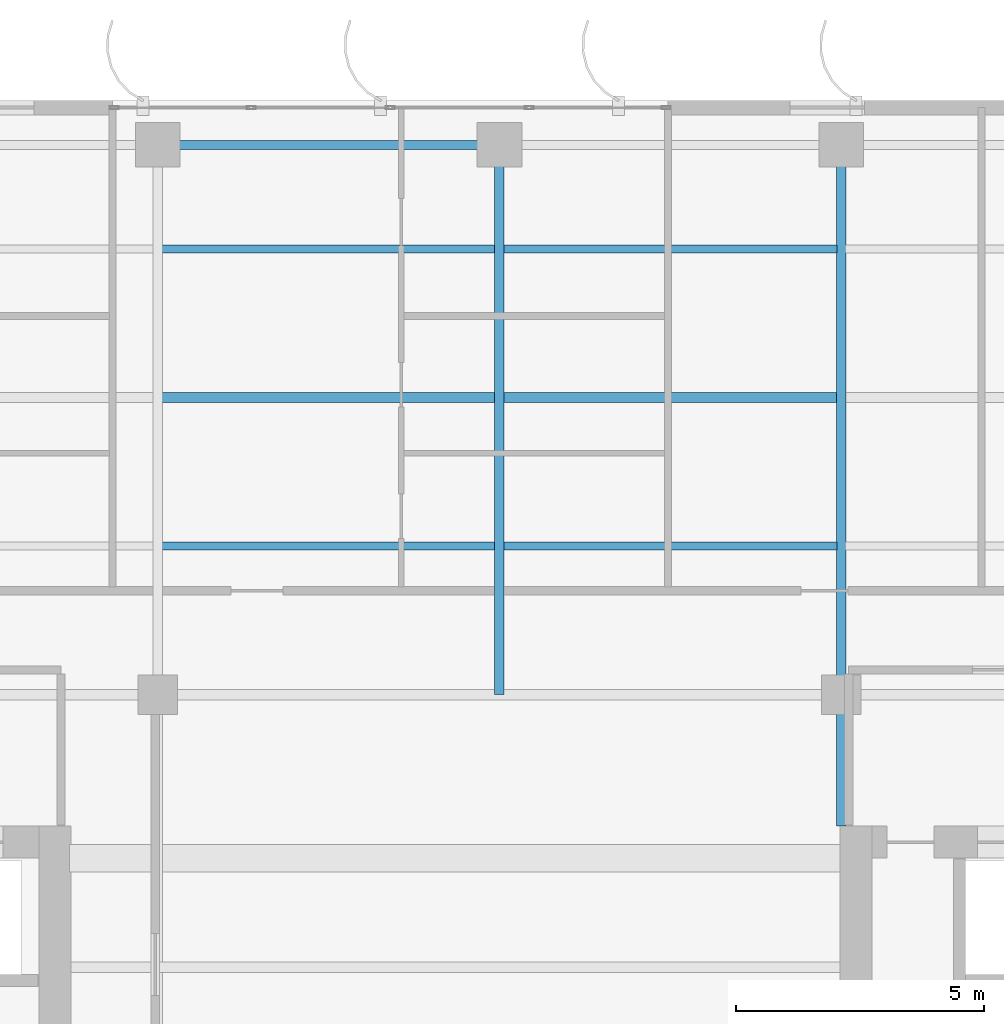
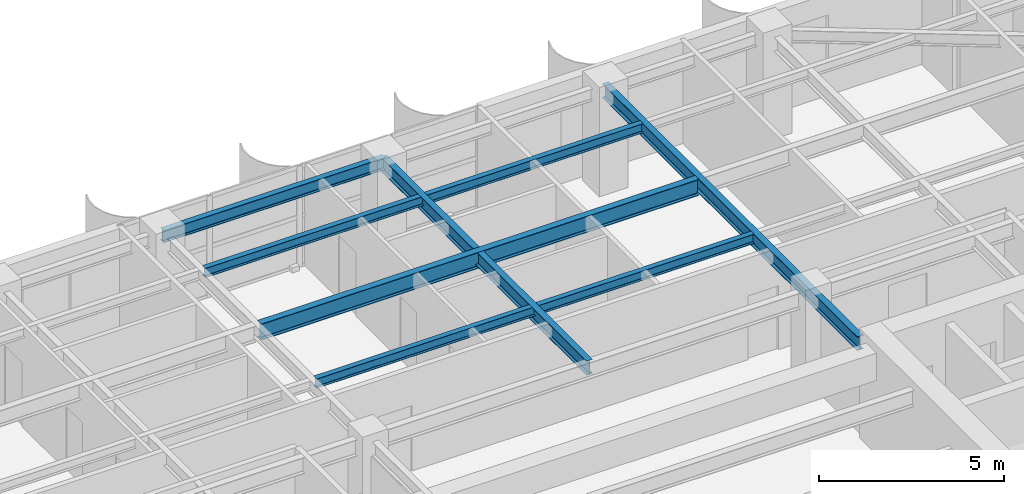
# One storey, part 13 of 22: 6 beams.
"""IFC4 building model written with IfcOpenShell, lengths in metres."""

from ifc_helpers import new_model, si_unit, direction, frame, origin, origin_2d, place, context, subcontext, project, spatial, i_section, extrude, source, transform, mapped, material, material_profile, profile_set, type_object, element, save


model = new_model("IFC4")

# Units and contexts
model_context = context("Model", 3, precision=1e-05, world=origin(), true_north=direction((0.0, 1.0)))
body_context = subcontext(model_context, "Body", "Model", "MODEL_VIEW")
ifc_project = project(units=[si_unit("LENGTHUNIT", "METRE"), si_unit("AREAUNIT", "SQUARE_METRE"), si_unit("VOLUMEUNIT", "CUBIC_METRE"), si_unit("PLANEANGLEUNIT", "RADIAN"), si_unit("MASSUNIT", "GRAM", prefix="KILO")], contexts=[model_context])

# Site, building, storey
site_placement = place(None, origin())
site = spatial("IfcSite", under=ifc_project, at=site_placement, CompositionType="ELEMENT")
building_placement = place(site_placement, origin())
building = spatial("IfcBuilding", under=site, at=building_placement, Name="Khoralis Quay Care Tower", CompositionType="ELEMENT")
storey_placement = place(building_placement, frame((0.0, 0.0, 170.10009765625)))
storey = spatial("IfcBuildingStorey", under=building, at=storey_placement, Name="L44", CompositionType="ELEMENT", Elevation=170.10009765625)

# Beams
ifc_material = material(Name="Steel S355", Category="steel")
ifc_material_profile_1 = material_profile(ifc_material, i_section(OverallWidth=0.179931640625, OverallDepth=0.39990234375, WebThickness=0.008544921875, FlangeThickness=0.013427734375, FilletRadius=0.02099609375, at=origin_2d()), Name="Steel S355")
ifc_profile_set_1 = profile_set([ifc_material_profile_1], Name="Steel S355")
beam_type_1 = type_object("IfcBeamType", Name="BM-IPE400", PredefinedType="SPANDREL", material=ifc_profile_set_1)
shared_shape_1 = source(origin(), body_context, "Body", "SweptSolid", [
    extrude(i_section(OverallWidth=0.179931640625, OverallDepth=0.39990234375, WebThickness=0.008544921875, FlangeThickness=0.013427734375, FilletRadius=0.02099609375, at=origin_2d()), origin(), (0.0, 0.0, 1.0), 6.89990234375),
])
beam_1_placement = place(storey_placement, frame((17.10009765625, 41.10009765625, 3.139892578125), z_axis=(1.0, 0.0, 0.0), x_axis=(0.0, 1.0, 0.0)))
element("IfcBeam", 1, at=beam_1_placement, inside=storey, type_object=beam_type_1, Name="BM-TSP-L44-06", PredefinedType="SPANDREL", context=body_context, shape_type="MappedRepresentation", body=[
    mapped(shared_shape_1, transform((0.0, 0.0, 0.0), scale=1.0)),
])
ifc_material_profile_2 = material_profile(ifc_material, i_section(OverallWidth=0.208984375, OverallDepth=0.532958984375, WebThickness=0.01025390625, FlangeThickness=0.015625, FilletRadius=0.01611328125, at=origin_2d()), Name="Steel S355")
ifc_profile_set_2 = profile_set([ifc_material_profile_2], Name="Steel S355")
beam_type_2 = type_object("IfcBeamType", Name="BM-W530X92", PredefinedType="BEAM", material=ifc_profile_set_2)
shared_shape_2 = source(origin(), body_context, "Body", "SweptSolid", [
    extrude(i_section(OverallWidth=0.208984375, OverallDepth=0.532958984375, WebThickness=0.01025390625, FlangeThickness=0.015625, FilletRadius=0.01611328125, at=origin_2d()), origin(), (0.0, 0.0, 1.0), 13.6318359375),
])
beam_2_placement = place(storey_placement, frame((17.18408203125, 36.0, 3.073486328125), z_axis=(1.0, 0.0, 0.0), x_axis=(0.0, 1.0, 0.0)))
element("IfcBeam", 2, at=beam_2_placement, inside=storey, type_object=beam_type_2, Name="BM-TGCC-L44-360", PredefinedType="BEAM", context=body_context, shape_type="MappedRepresentation", body=[
    mapped(shared_shape_2, transform((0.0, 0.0, 0.0), scale=1.0)),
])
ifc_material_profile_3 = material_profile(ifc_material, i_section(OverallWidth=0.19189453125, OverallDepth=0.462890625, WebThickness=0.010498046875, FlangeThickness=0.017578125, FilletRadius=0.014892578125, at=origin_2d()), Name="Steel S355")
ifc_profile_set_3 = profile_set([ifc_material_profile_3], Name="Steel S355")
beam_type_3 = type_object("IfcBeamType", Name="BM-W460X89", PredefinedType="BEAM", material=ifc_profile_set_3)
shared_shape_3 = source(origin(), body_context, "Body", "SweptSolid", [
    extrude(i_section(OverallWidth=0.19189453125, OverallDepth=0.462890625, WebThickness=0.010498046875, FlangeThickness=0.017578125, FilletRadius=0.014892578125, at=origin_2d()), origin(), (0.0, 0.0, 1.0), 11.10009765625),
])
beam_3_placement = place(storey_placement, frame((24.0, 30.0, 3.1083984375), z_axis=(0.0, 1.0, 0.0), x_axis=(-1.0, 0.0, 0.0)))
element("IfcBeam", 3, at=beam_3_placement, inside=storey, type_object=beam_type_3, Name="BM-TGYN-L44-240", PredefinedType="BEAM", context=body_context, shape_type="MappedRepresentation", body=[
    mapped(shared_shape_3, transform((0.0, 0.0, 0.0), scale=1.0)),
])
shared_shape_4 = source(origin(), body_context, "Body", "SweptSolid", [
    extrude(i_section(OverallWidth=0.19189453125, OverallDepth=0.462890625, WebThickness=0.010498046875, FlangeThickness=0.017578125, FilletRadius=0.014892578125, at=origin_2d()), origin(), (0.0, 0.0, 1.0), 13.752197265625),
])
beam_4_placement = place(storey_placement, frame((30.89990234375, 27.347900390625, 3.1083984375), z_axis=(0.0, 1.0, 0.0), x_axis=(-1.0, 0.0, 0.0)))
element("IfcBeam", 4, at=beam_4_placement, inside=storey, type_object=beam_type_3, Name="BM-TGYN-L44-309", PredefinedType="BEAM", context=body_context, shape_type="MappedRepresentation", body=[
    mapped(shared_shape_4, transform((0.0, 0.0, 0.0), scale=1.0)),
])
ifc_material_profile_4 = material_profile(ifc_material, i_section(OverallWidth=0.1650390625, OverallDepth=0.31005859375, WebThickness=0.005859375, FlangeThickness=0.009765625, FilletRadius=0.011962890625, at=origin_2d()), Name="Steel S355")
ifc_profile_set_4 = profile_set([ifc_material_profile_4], Name="Steel S355")
beam_type_4 = type_object("IfcBeamType", Name="BM-W310X39", PredefinedType="JOIST", material=ifc_profile_set_4)
shared_shape_5 = source(origin(), body_context, "Body", "SweptSolid", [
    extrude(i_section(OverallWidth=0.1650390625, OverallDepth=0.31005859375, WebThickness=0.005859375, FlangeThickness=0.009765625, FilletRadius=0.011962890625, at=origin_2d()), origin(), (0.0, 0.0, 1.0), 13.6318359375),
])
for number, where, z_axis, x_axis, name in (
    (5, (17.18408203125, 33.0, 3.184814453125), (1.0, 0.0, 0.0), (0.0, 1.0, 0.0), "BM-TJS-L44-28"),
    (6, (17.18408203125, 39.0, 3.184814453125), (1.0, 0.0, 0.0), (0.0, 1.0, 0.0), "BM-TJS-L44-31"),
):
    element("IfcBeam", number, at=place(storey_placement, frame(where, z_axis=z_axis, x_axis=x_axis)), inside=storey, type_object=beam_type_4, Name=name, PredefinedType="JOIST", context=body_context, shape_type="MappedRepresentation", body=[
        mapped(shared_shape_5, transform((0.0, 0.0, 0.0), scale=1.0)),
    ])

save(model, "model.ifc")
